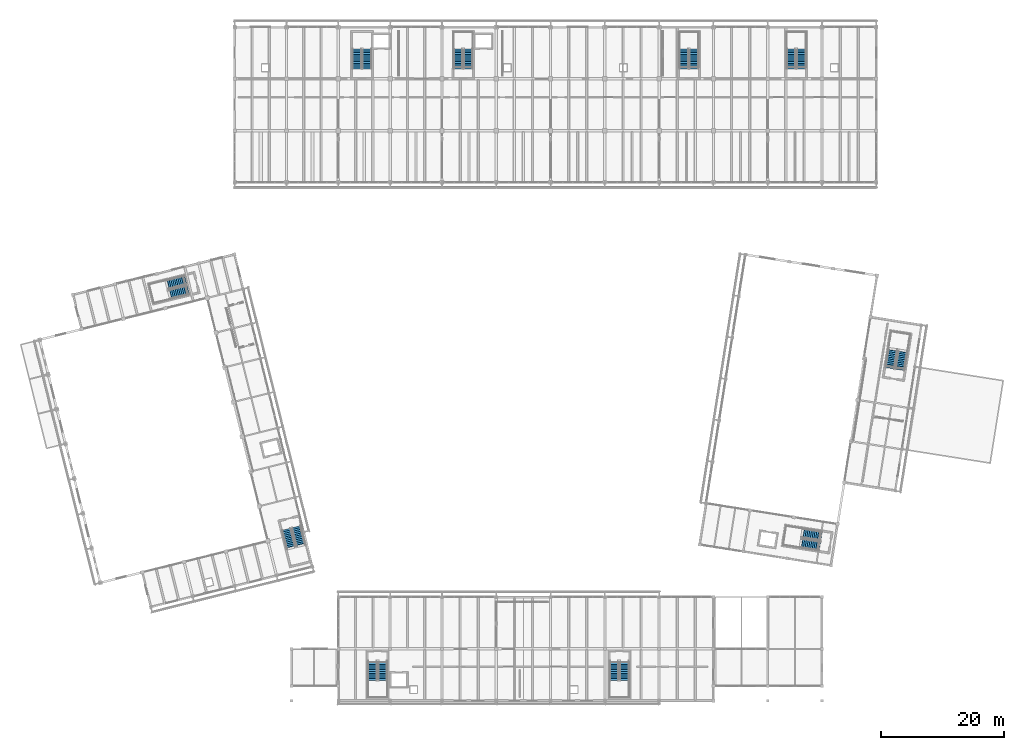
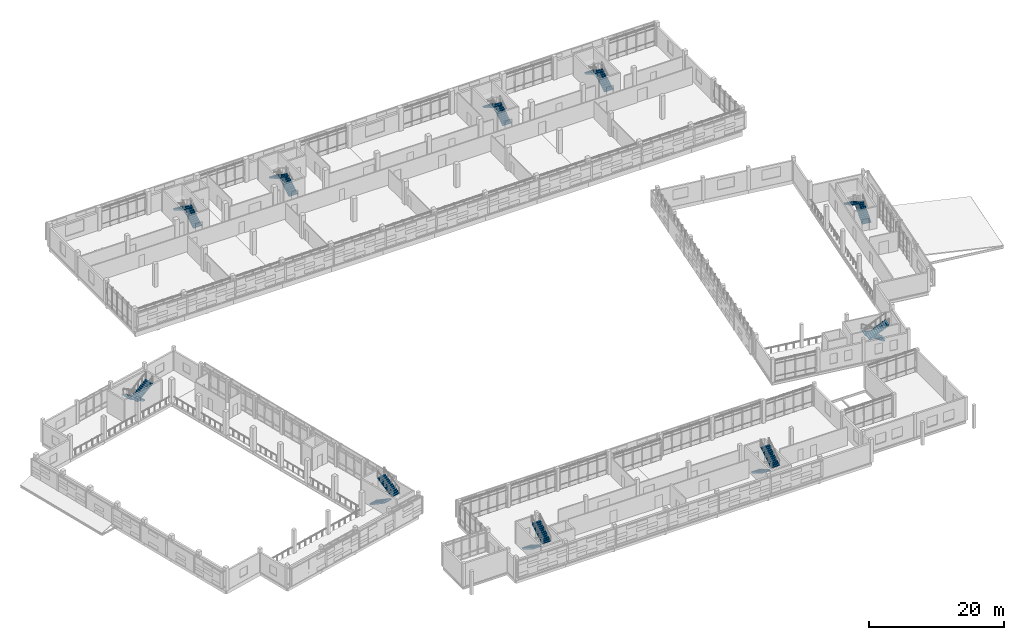
# One storey, part 116 of 137: 20 stair flights, 10 elements without a shape of their own.
"""IFC4 building model written with IfcOpenShell, lengths in metres."""

import ifcopenshell
import ifcopenshell.guid

model = None  # the IFC model being written
_history = None  # IfcOwnerHistory: only IFC2X3 demands one
_inside = {}  # id of a spatial element -> (the spatial element, [elements in it])
_under = {}  # id of a project, library or spatial element -> (it, [spatial elements below it])
_declared = {}  # id of a project -> (the project, [libraries it declares])
_typed = {}  # id of a type object -> (the type object, [elements of that type])
_made_of = {}  # id of a material, layer set ... -> (it, [elements and type objects made of it])


def new_model(schema):
    """Start an empty IFC model of exactly this schema.

    Asked for "IFC4X3", IfcOpenShell would pick the latest addendum, in which some entities
    have other attributes; the version numbers below select the first issue.
    IFC2X3 requires an IfcOwnerHistory on every rooted entity: one is made here for all.
    """
    global model, _history
    if schema == "IFC4X3":
        model = ifcopenshell.file(schema_version=(4, 3, 0, 0))
    else:
        model = ifcopenshell.file(schema=schema)
    _inside.clear()
    _under.clear()
    _declared.clear()
    _typed.clear()
    _made_of.clear()
    _history = None
    if model.schema == "IFC2X3":
        org = make("IfcOrganization", Name="unknown")
        user = make(
            "IfcPersonAndOrganization",
            ThePerson=make("IfcPerson", FamilyName="unknown"),
            TheOrganization=org,
        )
        app = make(
            "IfcApplication",
            ApplicationDeveloper=org,
            Version="unknown",
            ApplicationFullName="unknown",
            ApplicationIdentifier="unknown",
        )
        _history = make(
            "IfcOwnerHistory",
            OwningUser=user,
            OwningApplication=app,
            ChangeAction="ADDED",
            CreationDate=0,
        )
    return model


def make(cls, **values):
    """One entity of the class cls with the attributes given. An attribute that is None is left unset."""
    return model.create_entity(
        cls, **{name: value for name, value in values.items() if value is not None}
    )


def rooted(cls, **values):
    """An entity with a GlobalId (a new one), such as an element, a storey or a relation."""
    return make(cls, GlobalId=ifcopenshell.guid.new(), OwnerHistory=_history, **values)


def si_unit(unit_type, name, prefix=None):
    """IfcSIUnit, for example si_unit("LENGTHUNIT", "METRE", prefix="MILLI")."""
    return make("IfcSIUnit", UnitType=unit_type, Prefix=prefix, Name=name)


def assignment(units):
    """IfcUnitAssignment: the units of a project."""
    return None if units is None else make("IfcUnitAssignment", Units=units)


def point(xyz):
    """IfcCartesianPoint."""
    return None if xyz is None else make("IfcCartesianPoint", Coordinates=xyz)


def direction(xyz):
    """IfcDirection."""
    return None if xyz is None else make("IfcDirection", DirectionRatios=xyz)


def frame(location, z_axis=None, x_axis=None):
    """IfcAxis2Placement3D, a coordinate frame: its origin and axes. An axis left out is left unset."""
    return make(
        "IfcAxis2Placement3D",
        Location=point(location),
        Axis=direction(z_axis),
        RefDirection=direction(x_axis),
    )


def origin():
    """The frame at (0, 0, 0) with its axes left unset."""
    return frame((0.0, 0.0, 0.0))


def place(relative_to, where):
    """IfcLocalPlacement: puts the frame where relative to a parent placement (None: the world)."""
    return make(
        "IfcLocalPlacement", PlacementRelTo=relative_to, RelativePlacement=where
    )


def context(
    kind, dimensions, precision=None, world=None, true_north=None, identifier=None
):
    """IfcGeometricRepresentationContext, for example the 3D "Model" context."""
    return make(
        "IfcGeometricRepresentationContext",
        ContextIdentifier=identifier,
        ContextType=kind,
        CoordinateSpaceDimension=dimensions,
        Precision=precision,
        WorldCoordinateSystem=world,
        TrueNorth=true_north,
    )


def subcontext(parent, identifier, kind, view, scale=None):
    """IfcGeometricRepresentationSubContext, for example "Body" below "Model"."""
    return make(
        "IfcGeometricRepresentationSubContext",
        ContextIdentifier=identifier,
        ContextType=kind,
        ParentContext=parent,
        TargetScale=scale,
        TargetView=view,
    )


def project(units=None, contexts=None):
    """IfcProject with its units and contexts."""
    return rooted(
        "IfcProject",
        Name="project",
        RepresentationContexts=contexts,
        UnitsInContext=assignment(units),
    )


def spatial(cls, under=None, at=None, **own):
    """A site, building, storey or space (cls), placed at a placement, below another one or the project."""
    s = rooted(cls, ObjectPlacement=at, **own)
    if under is not None:
        _under.setdefault(under.id(), (under, []))[1].append(s)
    return s


def polyline(points):
    """IfcPolyline through the points."""
    return make("IfcPolyline", Points=[point(p) for p in points])


def outline(outer, holes=None, kind="AREA"):
    """IfcArbitraryClosedProfileDef: a profile drawn as a closed curve; with holes, ...WithVoids."""
    if holes is None:
        return make("IfcArbitraryClosedProfileDef", ProfileType=kind, OuterCurve=outer)
    return make(
        "IfcArbitraryProfileDefWithVoids",
        ProfileType=kind,
        OuterCurve=outer,
        InnerCurves=holes,
    )


def extrude(swept, where, along, depth):
    """IfcExtrudedAreaSolid: the profile swept, set in the frame where, extruded along a direction by depth."""
    return make(
        "IfcExtrudedAreaSolid",
        SweptArea=swept,
        Position=where,
        ExtrudedDirection=direction(along),
        Depth=depth,
    )


def shape(context_of_items, identifier, shape_type, items):
    """IfcShapeRepresentation: the items that make up one representation, for example the "Body"."""
    return make(
        "IfcShapeRepresentation",
        ContextOfItems=context_of_items,
        RepresentationIdentifier=identifier,
        RepresentationType=shape_type,
        Items=items,
    )


def material(Name=None, Category=None):
    """IfcMaterial."""
    return make("IfcMaterial", Name=Name, Category=Category)


def made_of(thing, what):
    """Note that an element or type object is made of a material, layer set ...; save() writes the relation."""
    if what is not None:
        _made_of.setdefault(what.id(), (what, []))[1].append(thing)
    return thing


def type_object(cls, material=None, **own):
    """A type object (cls), such as IfcWallType, which elements share."""
    return made_of(rooted(cls, **own), material)


def element(
    cls,
    number,
    at=None,
    inside=None,
    cuts=None,
    type_object=None,
    material=None,
    context=None,
    identifier="Body",
    shape_type=None,
    held_by="IfcProductDefinitionShape",
    body=None,
    shapes=None,
    **own,
):
    """One element of the class cls, such as IfcWall. Its Tag is "e" and its number.

    at: its placement. inside: the storey or other place that contains it. cuts: it is an
    opening in that element (IfcRelVoidsElement). A single representation is given by context,
    identifier, shape_type and body (its items); several are given by shapes. held_by: the class
    of the entity that holds the representations. save() writes the other relations.
    """
    e = rooted(cls, Tag="e%d" % number, ObjectPlacement=at, **own)
    if body is not None:
        shapes = [shape(context, identifier, shape_type, body)]
    if shapes is not None:
        e.Representation = make(held_by, Representations=shapes)
    if inside is not None:
        _inside.setdefault(inside.id(), (inside, []))[1].append(e)
    if cuts is not None:
        rooted(
            "IfcRelVoidsElement", RelatingBuildingElement=cuts, RelatedOpeningElement=e
        )
    if type_object is not None:
        _typed.setdefault(type_object.id(), (type_object, []))[1].append(e)
    return made_of(e, material)


def aggregate(whole, parts):
    """IfcRelAggregates: a whole, such as a stair, and the parts it consists of."""
    return rooted("IfcRelAggregates", RelatingObject=whole, RelatedObjects=parts)


def save(model, path):
    """Write the relations noted so far, then the file.

    IfcRelAggregates (storeys below a building ...), IfcRelContainedInSpatialStructure (elements
    in a storey), IfcRelDefinesByType, IfcRelAssociatesMaterial and IfcRelDeclares: one each for
    every whole, place, type object, material and project.
    """
    for whole, parts in _under.values():
        aggregate(whole, parts)
    for where, things in _inside.values():
        rooted(
            "IfcRelContainedInSpatialStructure",
            RelatedElements=things,
            RelatingStructure=where,
        )
    for kind, things in _typed.values():
        rooted("IfcRelDefinesByType", RelatedObjects=things, RelatingType=kind)
    for what, things in _made_of.values():
        rooted("IfcRelAssociatesMaterial", RelatedObjects=things, RelatingMaterial=what)
    for by, libraries in _declared.values():
        rooted("IfcRelDeclares", RelatingContext=by, RelatedDefinitions=libraries)
    model.write(path)


model = new_model("IFC4")

# Units and contexts
model_context = context("Model", 3, precision=1e-05, world=origin(), true_north=direction((0.0, 1.0)))
body_context = subcontext(model_context, "Body", "Model", "MODEL_VIEW")
ifc_project = project(units=[si_unit("LENGTHUNIT", "METRE"), si_unit("AREAUNIT", "SQUARE_METRE"), si_unit("VOLUMEUNIT", "CUBIC_METRE"), si_unit("PLANEANGLEUNIT", "RADIAN"), si_unit("MASSUNIT", "GRAM", prefix="KILO")], contexts=[model_context])

# Site, building, storey
site_placement = place(None, origin())
site = spatial("IfcSite", under=ifc_project, at=site_placement, CompositionType="ELEMENT")
building_placement = place(site_placement, origin())
building = spatial("IfcBuilding", under=site, at=building_placement, Name="Cinderway Yard Community Centre", CompositionType="ELEMENT")
storey_placement = place(building_placement, frame((0.0, 0.0, 4.800048828125)))
storey = spatial("IfcBuildingStorey", under=building, at=storey_placement, Name="L01", CompositionType="ELEMENT", Elevation=4.800048828125)

# Stair, stair flights
ifc_material = material(Name="Concrete C40/50", Category="concrete")
stair_type_1 = type_object("IfcStairType", Name="INT-STR-420A", PredefinedType="HALF_TURN_STAIR", material=ifc_material)
stair_1_placement = place(storey_placement, origin())
stair_1 = element("IfcStair", 1, at=stair_1_placement, inside=storey, type_object=stair_type_1, Name="L01 Core C1 Exit Stair ST-01", PredefinedType="HALF_TURN_STAIR")
stair_flight_type_1 = type_object("IfcStairFlightType", Name="INT-FLT-420A", PredefinedType="STRAIGHT", material=ifc_material)
stair_flight_1_placement = place(storey_placement, frame((63.06005859375, 108.429931640625, 0.0), z_axis=(0.0, 0.0, 1.0), x_axis=(0.0, 1.0, 0.0)))
stair_flight_1 = element("IfcStairFlight", 2, at=stair_flight_1_placement, type_object=stair_flight_type_1, Name="ST-01 flight 1", NumberOfRisers=12, NumberOfTreads=11, PredefinedType="STRAIGHT", RiserHeight=0.175, TreadLength=0.29, context=body_context, shape_type="SweptSolid", body=[
    extrude(outline(polyline([(0.0, 0.0), (0.0, 0.175048828125), (0.2900390625, 0.175048828125), (0.2900390625, 0.35009765625), (0.580078125, 0.35009765625), (0.580078125, 0.52490234375), (0.8701171875, 0.52490234375), (0.8701171875, 0.699951171875), (1.159912109375, 0.699951171875), (1.159912109375, 0.875), (1.449951171875, 0.875), (1.449951171875, 1.050048828125), (1.739990234375, 1.050048828125), (1.739990234375, 1.22509765625), (2.030029296875, 1.22509765625), (2.030029296875, 1.39990234375), (2.320068359375, 1.39990234375), (2.320068359375, 1.574951171875), (2.610107421875, 1.574951171875), (2.610107421875, 1.75), (2.89990234375, 1.75), (2.89990234375, 1.925048828125), (3.18994140625, 1.925048828125), (3.18994140625, 2.10009765625), (3.18994140625, 1.73828125), (0.3095703125, 0.0), (0.0, 0.0)])), frame((0.0, 0.739990234375, 0.0), z_axis=(0.0, -1.0, 0.0), x_axis=(1.0, 0.0, 0.0)), (0.0, 0.0, 1.0), 1.47998046875),
])
stair_flight_2_placement = place(storey_placement, frame((61.419921875, 111.6201171875, 2.099853515625), z_axis=(0.0, 0.0, 1.0), x_axis=(0.0, -1.0, 0.0)))
stair_flight_2 = element("IfcStairFlight", 3, at=stair_flight_2_placement, type_object=stair_flight_type_1, Name="ST-01 flight 2", NumberOfRisers=12, NumberOfTreads=11, PredefinedType="STRAIGHT", RiserHeight=0.175, TreadLength=0.29, context=body_context, shape_type="SweptSolid", body=[
    extrude(outline(polyline([(0.0, 0.0), (0.0, 0.175048828125), (0.2900390625, 0.175048828125), (0.2900390625, 0.35009765625), (0.580078125, 0.35009765625), (0.580078125, 0.52490234375), (0.8701171875, 0.52490234375), (0.8701171875, 0.699951171875), (1.159912109375, 0.699951171875), (1.159912109375, 0.875), (1.449951171875, 0.875), (1.449951171875, 1.050048828125), (1.739990234375, 1.050048828125), (1.739990234375, 1.22509765625), (2.030029296875, 1.22509765625), (2.030029296875, 1.39990234375), (2.320068359375, 1.39990234375), (2.320068359375, 1.574951171875), (2.610107421875, 1.574951171875), (2.610107421875, 1.75), (2.89990234375, 1.75), (2.89990234375, 1.925048828125), (3.18994140625, 1.925048828125), (3.18994140625, 2.10009765625), (3.18994140625, 1.73828125), (0.3095703125, 0.0), (0.0, 0.0)])), frame((0.0, 0.739990234375, 0.0), z_axis=(0.0, -1.0, 0.0), x_axis=(1.0, 0.0, 0.0)), (0.0, 0.0, 1.0), 1.47998046875),
])
aggregate(stair_1, [stair_flight_1, stair_flight_2])

stair_2_placement = place(storey_placement, origin())
stair_2 = element("IfcStair", 4, at=stair_2_placement, inside=storey, type_object=stair_type_1, Name="L01 Core C2B Exit Stair ST-03", PredefinedType="HALF_TURN_STAIR")
stair_flight_3_placement = place(storey_placement, frame((116.06005859375, 108.429931640625, 0.0), z_axis=(0.0, 0.0, 1.0), x_axis=(0.0, 1.0, 0.0)))
stair_flight_3 = element("IfcStairFlight", 5, at=stair_flight_3_placement, type_object=stair_flight_type_1, Name="ST-03 flight 1", NumberOfRisers=12, NumberOfTreads=11, PredefinedType="STRAIGHT", RiserHeight=0.175, TreadLength=0.29, context=body_context, shape_type="SweptSolid", body=[
    extrude(outline(polyline([(0.0, 0.0), (0.0, 0.175048828125), (0.2900390625, 0.175048828125), (0.2900390625, 0.35009765625), (0.580078125, 0.35009765625), (0.580078125, 0.52490234375), (0.8701171875, 0.52490234375), (0.8701171875, 0.699951171875), (1.159912109375, 0.699951171875), (1.159912109375, 0.875), (1.449951171875, 0.875), (1.449951171875, 1.050048828125), (1.739990234375, 1.050048828125), (1.739990234375, 1.22509765625), (2.030029296875, 1.22509765625), (2.030029296875, 1.39990234375), (2.320068359375, 1.39990234375), (2.320068359375, 1.574951171875), (2.610107421875, 1.574951171875), (2.610107421875, 1.75), (2.89990234375, 1.75), (2.89990234375, 1.925048828125), (3.18994140625, 1.925048828125), (3.18994140625, 2.10009765625), (3.18994140625, 1.73828125), (0.3095703125, 0.0), (0.0, 0.0)])), frame((0.0, 0.739990234375, 0.0), z_axis=(0.0, -1.0, 0.0), x_axis=(1.0, 0.0, 0.0)), (0.0, 0.0, 1.0), 1.47998046875),
])
stair_flight_4_placement = place(storey_placement, frame((114.419921875, 111.6201171875, 2.099853515625), z_axis=(0.0, 0.0, 1.0), x_axis=(0.0, -1.0, 0.0)))
stair_flight_4 = element("IfcStairFlight", 6, at=stair_flight_4_placement, type_object=stair_flight_type_1, Name="ST-03 flight 2", NumberOfRisers=12, NumberOfTreads=11, PredefinedType="STRAIGHT", RiserHeight=0.175, TreadLength=0.29, context=body_context, shape_type="SweptSolid", body=[
    extrude(outline(polyline([(0.0, 0.0), (0.0, 0.175048828125), (0.2900390625, 0.175048828125), (0.2900390625, 0.35009765625), (0.580078125, 0.35009765625), (0.580078125, 0.52490234375), (0.8701171875, 0.52490234375), (0.8701171875, 0.699951171875), (1.159912109375, 0.699951171875), (1.159912109375, 0.875), (1.449951171875, 0.875), (1.449951171875, 1.050048828125), (1.739990234375, 1.050048828125), (1.739990234375, 1.22509765625), (2.030029296875, 1.22509765625), (2.030029296875, 1.39990234375), (2.320068359375, 1.39990234375), (2.320068359375, 1.574951171875), (2.610107421875, 1.574951171875), (2.610107421875, 1.75), (2.89990234375, 1.75), (2.89990234375, 1.925048828125), (3.18994140625, 1.925048828125), (3.18994140625, 2.10009765625), (3.18994140625, 1.73828125), (0.3095703125, 0.0), (0.0, 0.0)])), frame((0.0, 0.739990234375, 0.0), z_axis=(0.0, -1.0, 0.0), x_axis=(1.0, 0.0, 0.0)), (0.0, 0.0, 1.0), 1.47998046875),
])
aggregate(stair_2, [stair_flight_3, stair_flight_4])

stair_3_placement = place(storey_placement, origin())
stair_3 = element("IfcStair", 7, at=stair_3_placement, inside=storey, type_object=stair_type_1, Name="L01 Core C3A Exit Stair ST-05", PredefinedType="HALF_TURN_STAIR")
stair_flight_5_placement = place(storey_placement, frame((49.99609375, 33.798095703125, 0.0), z_axis=(0.0, 0.0, 1.0), x_axis=(0.2419218956, -0.970295726276, 0.0)))
stair_flight_5 = element("IfcStairFlight", 8, at=stair_flight_5_placement, type_object=stair_flight_type_1, Name="ST-05 flight 1", NumberOfRisers=12, NumberOfTreads=11, PredefinedType="STRAIGHT", RiserHeight=0.175, TreadLength=0.29, context=body_context, shape_type="SweptSolid", body=[
    extrude(outline(polyline([(0.0, 0.0), (0.0, 0.175048828125), (0.2900390625, 0.175048828125), (0.2900390625, 0.35009765625), (0.580078125, 0.35009765625), (0.580078125, 0.52490234375), (0.8701171875, 0.52490234375), (0.8701171875, 0.699951171875), (1.159912109375, 0.699951171875), (1.159912109375, 0.875), (1.449951171875, 0.875), (1.449951171875, 1.050048828125), (1.739990234375, 1.050048828125), (1.739990234375, 1.22509765625), (2.030029296875, 1.22509765625), (2.030029296875, 1.39990234375), (2.320068359375, 1.39990234375), (2.320068359375, 1.574951171875), (2.610107421875, 1.574951171875), (2.610107421875, 1.75), (2.89990234375, 1.75), (2.89990234375, 1.925048828125), (3.18994140625, 1.925048828125), (3.18994140625, 2.10009765625), (3.18994140625, 1.73828125), (0.3095703125, 0.0), (0.0, 0.0)])), frame((0.0, 0.739990234375, 0.0), z_axis=(0.0, -1.0, 0.0), x_axis=(1.0, 0.0, 0.0)), (0.0, 0.0, 1.0), 1.47998046875),
])
stair_flight_6_placement = place(storey_placement, frame((52.359130859375, 31.099609375, 2.099853515625), z_axis=(0.0, 0.0, 1.0), x_axis=(-0.2419218956, 0.970295726276, 0.0)))
stair_flight_6 = element("IfcStairFlight", 9, at=stair_flight_6_placement, type_object=stair_flight_type_1, Name="ST-05 flight 2", NumberOfRisers=12, NumberOfTreads=11, PredefinedType="STRAIGHT", RiserHeight=0.175, TreadLength=0.29, context=body_context, shape_type="SweptSolid", body=[
    extrude(outline(polyline([(0.0, 0.0), (0.0, 0.175048828125), (0.2900390625, 0.175048828125), (0.2900390625, 0.35009765625), (0.580078125, 0.35009765625), (0.580078125, 0.52490234375), (0.8701171875, 0.52490234375), (0.8701171875, 0.699951171875), (1.159912109375, 0.699951171875), (1.159912109375, 0.875), (1.449951171875, 0.875), (1.449951171875, 1.050048828125), (1.739990234375, 1.050048828125), (1.739990234375, 1.22509765625), (2.030029296875, 1.22509765625), (2.030029296875, 1.39990234375), (2.320068359375, 1.39990234375), (2.320068359375, 1.574951171875), (2.610107421875, 1.574951171875), (2.610107421875, 1.75), (2.89990234375, 1.75), (2.89990234375, 1.925048828125), (3.18994140625, 1.925048828125), (3.18994140625, 2.10009765625), (3.18994140625, 1.73828125), (0.3095703125, 0.0), (0.0, 0.0)])), frame((0.0, 0.739990234375, 0.0), z_axis=(0.0, -1.0, 0.0), x_axis=(1.0, 0.0, 0.0)), (0.0, 0.0, 1.0), 1.47998046875),
])
aggregate(stair_3, [stair_flight_5, stair_flight_6])

stair_4_placement = place(storey_placement, origin())
stair_4 = element("IfcStair", 10, at=stair_4_placement, inside=storey, type_object=stair_type_1, Name="L01 Core C4A Exit Stair ST-07", PredefinedType="HALF_TURN_STAIR")
stair_flight_7_placement = place(storey_placement, frame((136.716552734375, 32.666748046875, 0.0), z_axis=(0.0, 0.0, 1.0), x_axis=(-0.987688340595, 0.15643446504, 0.0)))
stair_flight_7 = element("IfcStairFlight", 11, at=stair_flight_7_placement, type_object=stair_flight_type_1, Name="ST-07 flight 1", NumberOfRisers=12, NumberOfTreads=11, PredefinedType="STRAIGHT", RiserHeight=0.175, TreadLength=0.29, context=body_context, shape_type="SweptSolid", body=[
    extrude(outline(polyline([(0.0, 0.0), (0.0, 0.175048828125), (0.2900390625, 0.175048828125), (0.2900390625, 0.35009765625), (0.580078125, 0.35009765625), (0.580078125, 0.52490234375), (0.8701171875, 0.52490234375), (0.8701171875, 0.699951171875), (1.159912109375, 0.699951171875), (1.159912109375, 0.875), (1.449951171875, 0.875), (1.449951171875, 1.050048828125), (1.739990234375, 1.050048828125), (1.739990234375, 1.22509765625), (2.030029296875, 1.22509765625), (2.030029296875, 1.39990234375), (2.320068359375, 1.39990234375), (2.320068359375, 1.574951171875), (2.610107421875, 1.574951171875), (2.610107421875, 1.75), (2.89990234375, 1.75), (2.89990234375, 1.925048828125), (3.18994140625, 1.925048828125), (3.18994140625, 2.10009765625), (3.18994140625, 1.73828125), (0.3095703125, 0.0), (0.0, 0.0)])), frame((0.0, 0.739990234375, 0.0), z_axis=(0.0, -1.0, 0.0), x_axis=(1.0, 0.0, 0.0)), (0.0, 0.0, 1.0), 1.47998046875),
])
stair_flight_8_placement = place(storey_placement, frame((133.30908203125, 31.5458984375, 2.099853515625), z_axis=(0.0, 0.0, 1.0), x_axis=(0.987688340595, -0.15643446504, 0.0)))
stair_flight_8 = element("IfcStairFlight", 12, at=stair_flight_8_placement, type_object=stair_flight_type_1, Name="ST-07 flight 2", NumberOfRisers=12, NumberOfTreads=11, PredefinedType="STRAIGHT", RiserHeight=0.175, TreadLength=0.29, context=body_context, shape_type="SweptSolid", body=[
    extrude(outline(polyline([(0.0, 0.0), (0.0, 0.175048828125), (0.2900390625, 0.175048828125), (0.2900390625, 0.35009765625), (0.580078125, 0.35009765625), (0.580078125, 0.52490234375), (0.8701171875, 0.52490234375), (0.8701171875, 0.699951171875), (1.159912109375, 0.699951171875), (1.159912109375, 0.875), (1.449951171875, 0.875), (1.449951171875, 1.050048828125), (1.739990234375, 1.050048828125), (1.739990234375, 1.22509765625), (2.030029296875, 1.22509765625), (2.030029296875, 1.39990234375), (2.320068359375, 1.39990234375), (2.320068359375, 1.574951171875), (2.610107421875, 1.574951171875), (2.610107421875, 1.75), (2.89990234375, 1.75), (2.89990234375, 1.925048828125), (3.18994140625, 1.925048828125), (3.18994140625, 2.10009765625), (3.18994140625, 1.73828125), (0.3095703125, 0.0), (0.0, 0.0)])), frame((0.0, 0.739990234375, 0.0), z_axis=(0.0, -1.0, 0.0), x_axis=(1.0, 0.0, 0.0)), (0.0, 0.0, 1.0), 1.47998046875),
])
aggregate(stair_4, [stair_flight_7, stair_flight_8])

stair_5_placement = place(storey_placement, origin())
stair_5 = element("IfcStair", 13, at=stair_5_placement, inside=storey, type_object=stair_type_1, Name="L01 Core C5A Exit Stair ST-09", PredefinedType="HALF_TURN_STAIR")
stair_flight_9_placement = place(storey_placement, frame((63.93994140625, 12.469970703125, 0.0), z_axis=(0.0, 0.0, 1.0), x_axis=(0.0, -1.0, 0.0)))
stair_flight_9 = element("IfcStairFlight", 14, at=stair_flight_9_placement, type_object=stair_flight_type_1, Name="ST-09 flight 1", NumberOfRisers=12, NumberOfTreads=11, PredefinedType="STRAIGHT", RiserHeight=0.175, TreadLength=0.29, context=body_context, shape_type="SweptSolid", body=[
    extrude(outline(polyline([(0.0, 0.0), (0.0, 0.175048828125), (0.2900390625, 0.175048828125), (0.2900390625, 0.35009765625), (0.580078125, 0.35009765625), (0.580078125, 0.52490234375), (0.8701171875, 0.52490234375), (0.8701171875, 0.699951171875), (1.159912109375, 0.699951171875), (1.159912109375, 0.875), (1.449951171875, 0.875), (1.449951171875, 1.050048828125), (1.739990234375, 1.050048828125), (1.739990234375, 1.22509765625), (2.030029296875, 1.22509765625), (2.030029296875, 1.39990234375), (2.320068359375, 1.39990234375), (2.320068359375, 1.574951171875), (2.610107421875, 1.574951171875), (2.610107421875, 1.75), (2.89990234375, 1.75), (2.89990234375, 1.925048828125), (3.18994140625, 1.925048828125), (3.18994140625, 2.10009765625), (3.18994140625, 1.73828125), (0.3095703125, 0.0), (0.0, 0.0)])), frame((0.0, 0.739990234375, 0.0), z_axis=(0.0, -1.0, 0.0), x_axis=(1.0, 0.0, 0.0)), (0.0, 0.0, 1.0), 1.47998046875),
])
stair_flight_10_placement = place(storey_placement, frame((65.580078125, 9.280029296875, 2.099853515625), z_axis=(0.0, 0.0, 1.0), x_axis=(0.0, 1.0, 0.0)))
stair_flight_10 = element("IfcStairFlight", 15, at=stair_flight_10_placement, type_object=stair_flight_type_1, Name="ST-09 flight 2", NumberOfRisers=12, NumberOfTreads=11, PredefinedType="STRAIGHT", RiserHeight=0.175, TreadLength=0.29, context=body_context, shape_type="SweptSolid", body=[
    extrude(outline(polyline([(0.0, 0.0), (0.0, 0.175048828125), (0.2900390625, 0.175048828125), (0.2900390625, 0.35009765625), (0.580078125, 0.35009765625), (0.580078125, 0.52490234375), (0.8701171875, 0.52490234375), (0.8701171875, 0.699951171875), (1.159912109375, 0.699951171875), (1.159912109375, 0.875), (1.449951171875, 0.875), (1.449951171875, 1.050048828125), (1.739990234375, 1.050048828125), (1.739990234375, 1.22509765625), (2.030029296875, 1.22509765625), (2.030029296875, 1.39990234375), (2.320068359375, 1.39990234375), (2.320068359375, 1.574951171875), (2.610107421875, 1.574951171875), (2.610107421875, 1.75), (2.89990234375, 1.75), (2.89990234375, 1.925048828125), (3.18994140625, 1.925048828125), (3.18994140625, 2.10009765625), (3.18994140625, 1.73828125), (0.3095703125, 0.0), (0.0, 0.0)])), frame((0.0, 0.739990234375, 0.0), z_axis=(0.0, -1.0, 0.0), x_axis=(1.0, 0.0, 0.0)), (0.0, 0.0, 1.0), 1.47998046875),
])
aggregate(stair_5, [stair_flight_9, stair_flight_10])

stair_type_2 = type_object("IfcStairType", Name="INT-STR-420B", PredefinedType="HALF_TURN_STAIR", material=ifc_material)
stair_6_placement = place(storey_placement, origin())
stair_6 = element("IfcStair", 16, at=stair_6_placement, inside=storey, type_object=stair_type_2, Name="L01 Core C2A Exit Stair ST-02", PredefinedType="HALF_TURN_STAIR")
stair_flight_type_2 = type_object("IfcStairFlightType", Name="INT-FLT-420B", PredefinedType="STRAIGHT", material=ifc_material)
stair_flight_11_placement = place(storey_placement, frame((79.4599609375, 108.429931640625, 0.0), z_axis=(0.0, 0.0, 1.0), x_axis=(0.0, 1.0, 0.0)))
stair_flight_11 = element("IfcStairFlight", 17, at=stair_flight_11_placement, type_object=stair_flight_type_2, Name="ST-02 flight 1", NumberOfRisers=12, NumberOfTreads=11, PredefinedType="STRAIGHT", RiserHeight=0.175, TreadLength=0.29, context=body_context, shape_type="SweptSolid", body=[
    extrude(outline(polyline([(0.0, 0.0), (0.0, 0.175048828125), (0.2900390625, 0.175048828125), (0.2900390625, 0.35009765625), (0.580078125, 0.35009765625), (0.580078125, 0.52490234375), (0.8701171875, 0.52490234375), (0.8701171875, 0.699951171875), (1.159912109375, 0.699951171875), (1.159912109375, 0.875), (1.449951171875, 0.875), (1.449951171875, 1.050048828125), (1.739990234375, 1.050048828125), (1.739990234375, 1.22509765625), (2.030029296875, 1.22509765625), (2.030029296875, 1.39990234375), (2.320068359375, 1.39990234375), (2.320068359375, 1.574951171875), (2.610107421875, 1.574951171875), (2.610107421875, 1.75), (2.89990234375, 1.75), (2.89990234375, 1.925048828125), (3.18994140625, 1.925048828125), (3.18994140625, 2.10009765625), (3.18994140625, 1.73828125), (0.3095703125, 0.0), (0.0, 0.0)])), frame((0.0, 0.739990234375, 0.0), z_axis=(0.0, -1.0, 0.0), x_axis=(1.0, 0.0, 0.0)), (0.0, 0.0, 1.0), 1.47998046875),
])
stair_flight_12_placement = place(storey_placement, frame((77.820068359375, 111.6201171875, 2.099853515625), z_axis=(0.0, 0.0, 1.0), x_axis=(0.0, -1.0, 0.0)))
stair_flight_12 = element("IfcStairFlight", 18, at=stair_flight_12_placement, type_object=stair_flight_type_2, Name="ST-02 flight 2", NumberOfRisers=12, NumberOfTreads=11, PredefinedType="STRAIGHT", RiserHeight=0.175, TreadLength=0.29, context=body_context, shape_type="SweptSolid", body=[
    extrude(outline(polyline([(0.0, 0.0), (0.0, 0.175048828125), (0.2900390625, 0.175048828125), (0.2900390625, 0.35009765625), (0.580078125, 0.35009765625), (0.580078125, 0.52490234375), (0.8701171875, 0.52490234375), (0.8701171875, 0.699951171875), (1.159912109375, 0.699951171875), (1.159912109375, 0.875), (1.449951171875, 0.875), (1.449951171875, 1.050048828125), (1.739990234375, 1.050048828125), (1.739990234375, 1.22509765625), (2.030029296875, 1.22509765625), (2.030029296875, 1.39990234375), (2.320068359375, 1.39990234375), (2.320068359375, 1.574951171875), (2.610107421875, 1.574951171875), (2.610107421875, 1.75), (2.89990234375, 1.75), (2.89990234375, 1.925048828125), (3.18994140625, 1.925048828125), (3.18994140625, 2.10009765625), (3.18994140625, 1.73828125), (0.3095703125, 0.0), (0.0, 0.0)])), frame((0.0, 0.739990234375, 0.0), z_axis=(0.0, -1.0, 0.0), x_axis=(1.0, 0.0, 0.0)), (0.0, 0.0, 1.0), 1.47998046875),
])
aggregate(stair_6, [stair_flight_11, stair_flight_12])

stair_7_placement = place(storey_placement, origin())
stair_7 = element("IfcStair", 19, at=stair_7_placement, inside=storey, type_object=stair_type_2, Name="L01 Core C2C Exit Stair ST-04", PredefinedType="HALF_TURN_STAIR")
stair_flight_13_placement = place(storey_placement, frame((133.4599609375, 108.429931640625, 0.0), z_axis=(0.0, 0.0, 1.0), x_axis=(0.0, 1.0, 0.0)))
stair_flight_13 = element("IfcStairFlight", 20, at=stair_flight_13_placement, type_object=stair_flight_type_2, Name="ST-04 flight 1", NumberOfRisers=12, NumberOfTreads=11, PredefinedType="STRAIGHT", RiserHeight=0.175, TreadLength=0.29, context=body_context, shape_type="SweptSolid", body=[
    extrude(outline(polyline([(0.0, 0.0), (0.0, 0.175048828125), (0.2900390625, 0.175048828125), (0.2900390625, 0.35009765625), (0.580078125, 0.35009765625), (0.580078125, 0.52490234375), (0.8701171875, 0.52490234375), (0.8701171875, 0.699951171875), (1.159912109375, 0.699951171875), (1.159912109375, 0.875), (1.449951171875, 0.875), (1.449951171875, 1.050048828125), (1.739990234375, 1.050048828125), (1.739990234375, 1.22509765625), (2.030029296875, 1.22509765625), (2.030029296875, 1.39990234375), (2.320068359375, 1.39990234375), (2.320068359375, 1.574951171875), (2.610107421875, 1.574951171875), (2.610107421875, 1.75), (2.89990234375, 1.75), (2.89990234375, 1.925048828125), (3.18994140625, 1.925048828125), (3.18994140625, 2.10009765625), (3.18994140625, 1.73828125), (0.3095703125, 0.0), (0.0, 0.0)])), frame((0.0, 0.739990234375, 0.0), z_axis=(0.0, -1.0, 0.0), x_axis=(1.0, 0.0, 0.0)), (0.0, 0.0, 1.0), 1.47998046875),
])
stair_flight_14_placement = place(storey_placement, frame((131.820068359375, 111.6201171875, 2.099853515625), z_axis=(0.0, 0.0, 1.0), x_axis=(0.0, -1.0, 0.0)))
stair_flight_14 = element("IfcStairFlight", 21, at=stair_flight_14_placement, type_object=stair_flight_type_2, Name="ST-04 flight 2", NumberOfRisers=12, NumberOfTreads=11, PredefinedType="STRAIGHT", RiserHeight=0.175, TreadLength=0.29, context=body_context, shape_type="SweptSolid", body=[
    extrude(outline(polyline([(0.0, 0.0), (0.0, 0.175048828125), (0.2900390625, 0.175048828125), (0.2900390625, 0.35009765625), (0.580078125, 0.35009765625), (0.580078125, 0.52490234375), (0.8701171875, 0.52490234375), (0.8701171875, 0.699951171875), (1.159912109375, 0.699951171875), (1.159912109375, 0.875), (1.449951171875, 0.875), (1.449951171875, 1.050048828125), (1.739990234375, 1.050048828125), (1.739990234375, 1.22509765625), (2.030029296875, 1.22509765625), (2.030029296875, 1.39990234375), (2.320068359375, 1.39990234375), (2.320068359375, 1.574951171875), (2.610107421875, 1.574951171875), (2.610107421875, 1.75), (2.89990234375, 1.75), (2.89990234375, 1.925048828125), (3.18994140625, 1.925048828125), (3.18994140625, 2.10009765625), (3.18994140625, 1.73828125), (0.3095703125, 0.0), (0.0, 0.0)])), frame((0.0, 0.739990234375, 0.0), z_axis=(0.0, -1.0, 0.0), x_axis=(1.0, 0.0, 0.0)), (0.0, 0.0, 1.0), 1.47998046875),
])
aggregate(stair_7, [stair_flight_13, stair_flight_14])

stair_8_placement = place(storey_placement, origin())
stair_8 = element("IfcStair", 22, at=stair_8_placement, inside=storey, type_object=stair_type_2, Name="L01 Core C3B Exit Stair ST-06", PredefinedType="HALF_TURN_STAIR")
stair_flight_15_placement = place(storey_placement, frame((33.669921875, 74.18798828125, 0.0), z_axis=(0.0, 0.0, 1.0), x_axis=(-0.970295726276, -0.2419218956, 0.0)))
stair_flight_15 = element("IfcStairFlight", 23, at=stair_flight_15_placement, type_object=stair_flight_type_2, Name="ST-06 flight 1", NumberOfRisers=12, NumberOfTreads=11, PredefinedType="STRAIGHT", RiserHeight=0.175, TreadLength=0.29, context=body_context, shape_type="SweptSolid", body=[
    extrude(outline(polyline([(0.0, 0.0), (0.0, 0.175048828125), (0.2900390625, 0.175048828125), (0.2900390625, 0.35009765625), (0.580078125, 0.35009765625), (0.580078125, 0.52490234375), (0.8701171875, 0.52490234375), (0.8701171875, 0.699951171875), (1.159912109375, 0.699951171875), (1.159912109375, 0.875), (1.449951171875, 0.875), (1.449951171875, 1.050048828125), (1.739990234375, 1.050048828125), (1.739990234375, 1.22509765625), (2.030029296875, 1.22509765625), (2.030029296875, 1.39990234375), (2.320068359375, 1.39990234375), (2.320068359375, 1.574951171875), (2.610107421875, 1.574951171875), (2.610107421875, 1.75), (2.89990234375, 1.75), (2.89990234375, 1.925048828125), (3.18994140625, 1.925048828125), (3.18994140625, 2.10009765625), (3.18994140625, 1.73828125), (0.3095703125, 0.0), (0.0, 0.0)])), frame((0.0, 0.739990234375, 0.0), z_axis=(0.0, -1.0, 0.0), x_axis=(1.0, 0.0, 0.0)), (0.0, 0.0, 1.0), 1.47998046875),
])
stair_flight_16_placement = place(storey_placement, frame((30.971435546875, 71.824951171875, 2.099853515625), z_axis=(0.0, 0.0, 1.0), x_axis=(0.970295726276, 0.2419218956, 0.0)))
stair_flight_16 = element("IfcStairFlight", 24, at=stair_flight_16_placement, type_object=stair_flight_type_2, Name="ST-06 flight 2", NumberOfRisers=12, NumberOfTreads=11, PredefinedType="STRAIGHT", RiserHeight=0.175, TreadLength=0.29, context=body_context, shape_type="SweptSolid", body=[
    extrude(outline(polyline([(0.0, 0.0), (0.0, 0.175048828125), (0.2900390625, 0.175048828125), (0.2900390625, 0.35009765625), (0.580078125, 0.35009765625), (0.580078125, 0.52490234375), (0.8701171875, 0.52490234375), (0.8701171875, 0.699951171875), (1.159912109375, 0.699951171875), (1.159912109375, 0.875), (1.449951171875, 0.875), (1.449951171875, 1.050048828125), (1.739990234375, 1.050048828125), (1.739990234375, 1.22509765625), (2.030029296875, 1.22509765625), (2.030029296875, 1.39990234375), (2.320068359375, 1.39990234375), (2.320068359375, 1.574951171875), (2.610107421875, 1.574951171875), (2.610107421875, 1.75), (2.89990234375, 1.75), (2.89990234375, 1.925048828125), (3.18994140625, 1.925048828125), (3.18994140625, 2.10009765625), (3.18994140625, 1.73828125), (0.3095703125, 0.0), (0.0, 0.0)])), frame((0.0, 0.739990234375, 0.0), z_axis=(0.0, -1.0, 0.0), x_axis=(1.0, 0.0, 0.0)), (0.0, 0.0, 1.0), 1.47998046875),
])
aggregate(stair_8, [stair_flight_15, stair_flight_16])

stair_9_placement = place(storey_placement, origin())
stair_9 = element("IfcStair", 25, at=stair_9_placement, inside=storey, type_object=stair_type_2, Name="L01 Core C4B Exit Stair ST-08", PredefinedType="HALF_TURN_STAIR")
stair_flight_17_placement = place(storey_placement, frame((149.4306640625, 59.629638671875, 0.0), z_axis=(0.0, 0.0, 1.0), x_axis=(0.15643446504, 0.987688340595, 0.0)))
stair_flight_17 = element("IfcStairFlight", 26, at=stair_flight_17_placement, type_object=stair_flight_type_2, Name="ST-08 flight 1", NumberOfRisers=12, NumberOfTreads=11, PredefinedType="STRAIGHT", RiserHeight=0.175, TreadLength=0.29, context=body_context, shape_type="SweptSolid", body=[
    extrude(outline(polyline([(0.0, 0.0), (0.0, 0.175048828125), (0.2900390625, 0.175048828125), (0.2900390625, 0.35009765625), (0.580078125, 0.35009765625), (0.580078125, 0.52490234375), (0.8701171875, 0.52490234375), (0.8701171875, 0.699951171875), (1.159912109375, 0.699951171875), (1.159912109375, 0.875), (1.449951171875, 0.875), (1.449951171875, 1.050048828125), (1.739990234375, 1.050048828125), (1.739990234375, 1.22509765625), (2.030029296875, 1.22509765625), (2.030029296875, 1.39990234375), (2.320068359375, 1.39990234375), (2.320068359375, 1.574951171875), (2.610107421875, 1.574951171875), (2.610107421875, 1.75), (2.89990234375, 1.75), (2.89990234375, 1.925048828125), (3.18994140625, 1.925048828125), (3.18994140625, 2.10009765625), (3.18994140625, 1.73828125), (0.3095703125, 0.0), (0.0, 0.0)])), frame((0.0, 0.739990234375, 0.0), z_axis=(0.0, -1.0, 0.0), x_axis=(1.0, 0.0, 0.0)), (0.0, 0.0, 1.0), 1.47998046875),
])
stair_flight_18_placement = place(storey_placement, frame((148.309814453125, 63.036865234375, 2.099853515625), z_axis=(0.0, 0.0, 1.0), x_axis=(-0.15643446504, -0.987688340595, 0.0)))
stair_flight_18 = element("IfcStairFlight", 27, at=stair_flight_18_placement, type_object=stair_flight_type_2, Name="ST-08 flight 2", NumberOfRisers=12, NumberOfTreads=11, PredefinedType="STRAIGHT", RiserHeight=0.175, TreadLength=0.29, context=body_context, shape_type="SweptSolid", body=[
    extrude(outline(polyline([(0.0, 0.0), (0.0, 0.175048828125), (0.2900390625, 0.175048828125), (0.2900390625, 0.35009765625), (0.580078125, 0.35009765625), (0.580078125, 0.52490234375), (0.8701171875, 0.52490234375), (0.8701171875, 0.699951171875), (1.159912109375, 0.699951171875), (1.159912109375, 0.875), (1.449951171875, 0.875), (1.449951171875, 1.050048828125), (1.739990234375, 1.050048828125), (1.739990234375, 1.22509765625), (2.030029296875, 1.22509765625), (2.030029296875, 1.39990234375), (2.320068359375, 1.39990234375), (2.320068359375, 1.574951171875), (2.610107421875, 1.574951171875), (2.610107421875, 1.75), (2.89990234375, 1.75), (2.89990234375, 1.925048828125), (3.18994140625, 1.925048828125), (3.18994140625, 2.10009765625), (3.18994140625, 1.73828125), (0.3095703125, 0.0), (0.0, 0.0)])), frame((0.0, 0.739990234375, 0.0), z_axis=(0.0, -1.0, 0.0), x_axis=(1.0, 0.0, 0.0)), (0.0, 0.0, 1.0), 1.47998046875),
])
aggregate(stair_9, [stair_flight_17, stair_flight_18])

stair_10_placement = place(storey_placement, origin())
stair_10 = element("IfcStair", 28, at=stair_10_placement, inside=storey, type_object=stair_type_2, Name="L01 Core C5B Exit Stair ST-10", PredefinedType="HALF_TURN_STAIR")
stair_flight_19_placement = place(storey_placement, frame((103.139892578125, 12.469970703125, 0.0), z_axis=(0.0, 0.0, 1.0), x_axis=(0.0, -1.0, 0.0)))
stair_flight_19 = element("IfcStairFlight", 29, at=stair_flight_19_placement, type_object=stair_flight_type_2, Name="ST-10 flight 1", NumberOfRisers=12, NumberOfTreads=11, PredefinedType="STRAIGHT", RiserHeight=0.175, TreadLength=0.29, context=body_context, shape_type="SweptSolid", body=[
    extrude(outline(polyline([(0.0, 0.0), (0.0, 0.175048828125), (0.2900390625, 0.175048828125), (0.2900390625, 0.35009765625), (0.580078125, 0.35009765625), (0.580078125, 0.52490234375), (0.8701171875, 0.52490234375), (0.8701171875, 0.699951171875), (1.159912109375, 0.699951171875), (1.159912109375, 0.875), (1.449951171875, 0.875), (1.449951171875, 1.050048828125), (1.739990234375, 1.050048828125), (1.739990234375, 1.22509765625), (2.030029296875, 1.22509765625), (2.030029296875, 1.39990234375), (2.320068359375, 1.39990234375), (2.320068359375, 1.574951171875), (2.610107421875, 1.574951171875), (2.610107421875, 1.75), (2.89990234375, 1.75), (2.89990234375, 1.925048828125), (3.18994140625, 1.925048828125), (3.18994140625, 2.10009765625), (3.18994140625, 1.73828125), (0.3095703125, 0.0), (0.0, 0.0)])), frame((0.0, 0.739990234375, 0.0), z_axis=(0.0, -1.0, 0.0), x_axis=(1.0, 0.0, 0.0)), (0.0, 0.0, 1.0), 1.47998046875),
])
stair_flight_20_placement = place(storey_placement, frame((104.780029296875, 9.280029296875, 2.099853515625), z_axis=(0.0, 0.0, 1.0), x_axis=(0.0, 1.0, 0.0)))
stair_flight_20 = element("IfcStairFlight", 30, at=stair_flight_20_placement, type_object=stair_flight_type_2, Name="ST-10 flight 2", NumberOfRisers=12, NumberOfTreads=11, PredefinedType="STRAIGHT", RiserHeight=0.175, TreadLength=0.29, context=body_context, shape_type="SweptSolid", body=[
    extrude(outline(polyline([(0.0, 0.0), (0.0, 0.175048828125), (0.2900390625, 0.175048828125), (0.2900390625, 0.35009765625), (0.580078125, 0.35009765625), (0.580078125, 0.52490234375), (0.8701171875, 0.52490234375), (0.8701171875, 0.699951171875), (1.159912109375, 0.699951171875), (1.159912109375, 0.875), (1.449951171875, 0.875), (1.449951171875, 1.050048828125), (1.739990234375, 1.050048828125), (1.739990234375, 1.22509765625), (2.030029296875, 1.22509765625), (2.030029296875, 1.39990234375), (2.320068359375, 1.39990234375), (2.320068359375, 1.574951171875), (2.610107421875, 1.574951171875), (2.610107421875, 1.75), (2.89990234375, 1.75), (2.89990234375, 1.925048828125), (3.18994140625, 1.925048828125), (3.18994140625, 2.10009765625), (3.18994140625, 1.73828125), (0.3095703125, 0.0), (0.0, 0.0)])), frame((0.0, 0.739990234375, 0.0), z_axis=(0.0, -1.0, 0.0), x_axis=(1.0, 0.0, 0.0)), (0.0, 0.0, 1.0), 1.47998046875),
])
aggregate(stair_10, [stair_flight_19, stair_flight_20])

save(model, "model.ifc")
